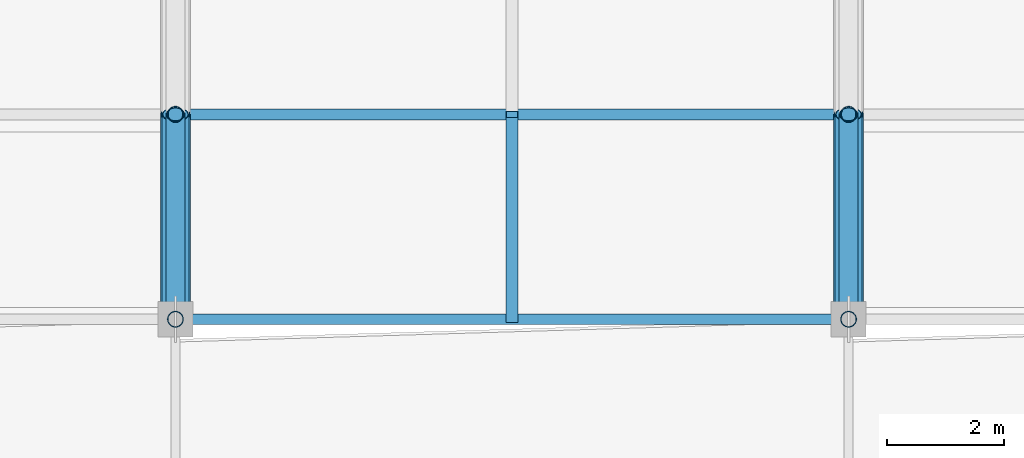
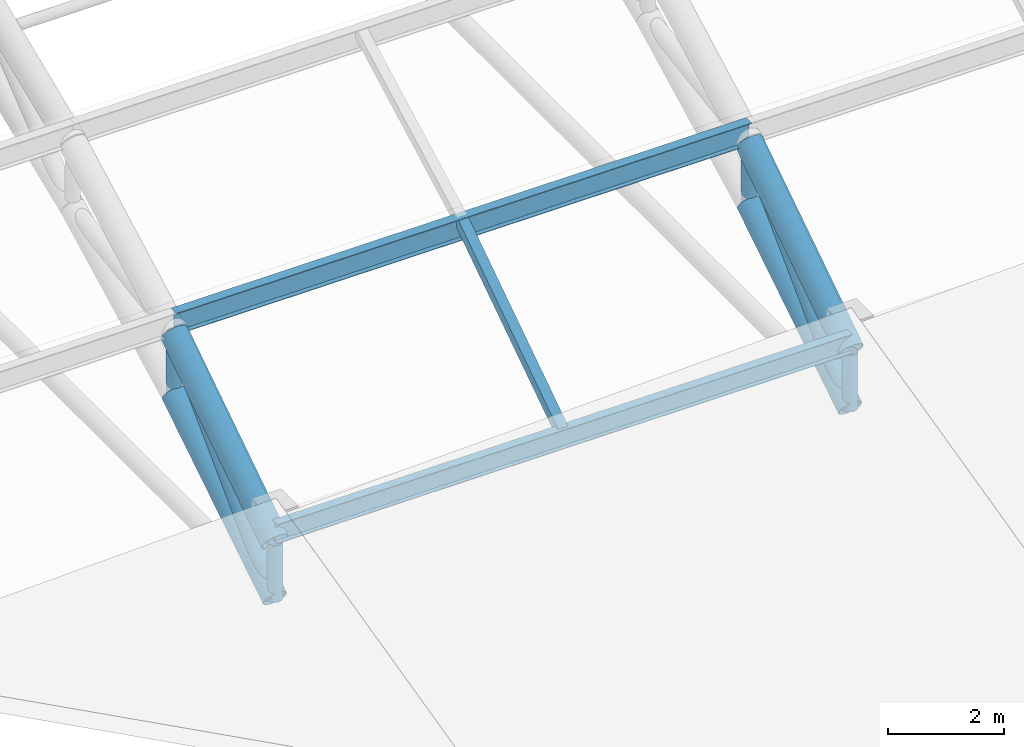
# One storey, part 8 of 154: 13 members.
"""IFC4 building model written with IfcOpenShell, lengths in metres."""

import ifcopenshell
import ifcopenshell.guid

model = None  # the IFC model being written
_history = None  # IfcOwnerHistory: only IFC2X3 demands one
_inside = {}  # id of a spatial element -> (the spatial element, [elements in it])
_under = {}  # id of a project, library or spatial element -> (it, [spatial elements below it])
_declared = {}  # id of a project -> (the project, [libraries it declares])
_typed = {}  # id of a type object -> (the type object, [elements of that type])
_made_of = {}  # id of a material, layer set ... -> (it, [elements and type objects made of it])


def new_model(schema):
    """Start an empty IFC model of exactly this schema.

    Asked for "IFC4X3", IfcOpenShell would pick the latest addendum, in which some entities
    have other attributes; the version numbers below select the first issue.
    IFC2X3 requires an IfcOwnerHistory on every rooted entity: one is made here for all.
    """
    global model, _history
    if schema == "IFC4X3":
        model = ifcopenshell.file(schema_version=(4, 3, 0, 0))
    else:
        model = ifcopenshell.file(schema=schema)
    _inside.clear()
    _under.clear()
    _declared.clear()
    _typed.clear()
    _made_of.clear()
    _history = None
    if model.schema == "IFC2X3":
        org = make("IfcOrganization", Name="unknown")
        user = make(
            "IfcPersonAndOrganization",
            ThePerson=make("IfcPerson", FamilyName="unknown"),
            TheOrganization=org,
        )
        app = make(
            "IfcApplication",
            ApplicationDeveloper=org,
            Version="unknown",
            ApplicationFullName="unknown",
            ApplicationIdentifier="unknown",
        )
        _history = make(
            "IfcOwnerHistory",
            OwningUser=user,
            OwningApplication=app,
            ChangeAction="ADDED",
            CreationDate=0,
        )
    return model


def make(cls, **values):
    """One entity of the class cls with the attributes given. An attribute that is None is left unset."""
    return model.create_entity(
        cls, **{name: value for name, value in values.items() if value is not None}
    )


def rooted(cls, **values):
    """An entity with a GlobalId (a new one), such as an element, a storey or a relation."""
    return make(cls, GlobalId=ifcopenshell.guid.new(), OwnerHistory=_history, **values)


def si_unit(unit_type, name, prefix=None):
    """IfcSIUnit, for example si_unit("LENGTHUNIT", "METRE", prefix="MILLI")."""
    return make("IfcSIUnit", UnitType=unit_type, Prefix=prefix, Name=name)


def assignment(units):
    """IfcUnitAssignment: the units of a project."""
    return None if units is None else make("IfcUnitAssignment", Units=units)


def point(xyz):
    """IfcCartesianPoint."""
    return None if xyz is None else make("IfcCartesianPoint", Coordinates=xyz)


def direction(xyz):
    """IfcDirection."""
    return None if xyz is None else make("IfcDirection", DirectionRatios=xyz)


def frame(location, z_axis=None, x_axis=None):
    """IfcAxis2Placement3D, a coordinate frame: its origin and axes. An axis left out is left unset."""
    return make(
        "IfcAxis2Placement3D",
        Location=point(location),
        Axis=direction(z_axis),
        RefDirection=direction(x_axis),
    )


def frame_2d(location, x_axis=None):
    """IfcAxis2Placement2D, a coordinate frame in the plane: its origin and x axis."""
    return make(
        "IfcAxis2Placement2D", Location=point(location), RefDirection=direction(x_axis)
    )


def origin():
    """The frame at (0, 0, 0) with its axes left unset."""
    return frame((0.0, 0.0, 0.0))


def origin_2d():
    """The frame at (0, 0) in the plane with its x axis left unset."""
    return frame_2d((0.0, 0.0))


def place(relative_to, where):
    """IfcLocalPlacement: puts the frame where relative to a parent placement (None: the world)."""
    return make(
        "IfcLocalPlacement", PlacementRelTo=relative_to, RelativePlacement=where
    )


def context(
    kind, dimensions, precision=None, world=None, true_north=None, identifier=None
):
    """IfcGeometricRepresentationContext, for example the 3D "Model" context."""
    return make(
        "IfcGeometricRepresentationContext",
        ContextIdentifier=identifier,
        ContextType=kind,
        CoordinateSpaceDimension=dimensions,
        Precision=precision,
        WorldCoordinateSystem=world,
        TrueNorth=true_north,
    )


def subcontext(parent, identifier, kind, view, scale=None):
    """IfcGeometricRepresentationSubContext, for example "Body" below "Model"."""
    return make(
        "IfcGeometricRepresentationSubContext",
        ContextIdentifier=identifier,
        ContextType=kind,
        ParentContext=parent,
        TargetScale=scale,
        TargetView=view,
    )


def project(units=None, contexts=None):
    """IfcProject with its units and contexts."""
    return rooted(
        "IfcProject",
        Name="project",
        RepresentationContexts=contexts,
        UnitsInContext=assignment(units),
    )


def spatial(cls, under=None, at=None, **own):
    """A site, building, storey or space (cls), placed at a placement, below another one or the project."""
    s = rooted(cls, ObjectPlacement=at, **own)
    if under is not None:
        _under.setdefault(under.id(), (under, []))[1].append(s)
    return s


def profile(cls, at=None, kind="AREA", **sizes):
    """A parametric profile (cls). Its sizes go by their IFC names, for example OverallWidth=200.0."""
    return make(cls, ProfileType=kind, Position=at, **sizes)


def hollow_rectangle(**sizes):
    """IfcRectangleHollowProfileDef."""
    return profile("IfcRectangleHollowProfileDef", **sizes)


def hollow_circle(**sizes):
    """IfcCircleHollowProfileDef."""
    return profile("IfcCircleHollowProfileDef", **sizes)


def i_section(**sizes):
    """IfcIShapeProfileDef."""
    return profile("IfcIShapeProfileDef", **sizes)


def extrude(swept, where, along, depth):
    """IfcExtrudedAreaSolid: the profile swept, set in the frame where, extruded along a direction by depth."""
    return make(
        "IfcExtrudedAreaSolid",
        SweptArea=swept,
        Position=where,
        ExtrudedDirection=direction(along),
        Depth=depth,
    )


def shape(context_of_items, identifier, shape_type, items):
    """IfcShapeRepresentation: the items that make up one representation, for example the "Body"."""
    return make(
        "IfcShapeRepresentation",
        ContextOfItems=context_of_items,
        RepresentationIdentifier=identifier,
        RepresentationType=shape_type,
        Items=items,
    )


def material(Name=None, Category=None):
    """IfcMaterial."""
    return make("IfcMaterial", Name=Name, Category=Category)


def material_profile(
    of_material, cross_section, Name=None, Category=None, Priority=None
):
    """IfcMaterialProfile: a cross section and its material."""
    return make(
        "IfcMaterialProfile",
        Name=Name,
        Material=of_material,
        Profile=cross_section,
        Priority=Priority,
        Category=Category,
    )


def profile_set(profiles, Name=None, composite=None):
    """IfcMaterialProfileSet."""
    return make(
        "IfcMaterialProfileSet",
        Name=Name,
        MaterialProfiles=profiles,
        CompositeProfile=composite,
    )


def made_of(thing, what):
    """Note that an element or type object is made of a material, layer set ...; save() writes the relation."""
    if what is not None:
        _made_of.setdefault(what.id(), (what, []))[1].append(thing)
    return thing


def type_object(cls, material=None, **own):
    """A type object (cls), such as IfcWallType, which elements share."""
    return made_of(rooted(cls, **own), material)


def element(
    cls,
    number,
    at=None,
    inside=None,
    cuts=None,
    type_object=None,
    material=None,
    context=None,
    identifier="Body",
    shape_type=None,
    held_by="IfcProductDefinitionShape",
    body=None,
    shapes=None,
    **own,
):
    """One element of the class cls, such as IfcWall. Its Tag is "e" and its number.

    at: its placement. inside: the storey or other place that contains it. cuts: it is an
    opening in that element (IfcRelVoidsElement). A single representation is given by context,
    identifier, shape_type and body (its items); several are given by shapes. held_by: the class
    of the entity that holds the representations. save() writes the other relations.
    """
    e = rooted(cls, Tag="e%d" % number, ObjectPlacement=at, **own)
    if body is not None:
        shapes = [shape(context, identifier, shape_type, body)]
    if shapes is not None:
        e.Representation = make(held_by, Representations=shapes)
    if inside is not None:
        _inside.setdefault(inside.id(), (inside, []))[1].append(e)
    if cuts is not None:
        rooted(
            "IfcRelVoidsElement", RelatingBuildingElement=cuts, RelatedOpeningElement=e
        )
    if type_object is not None:
        _typed.setdefault(type_object.id(), (type_object, []))[1].append(e)
    return made_of(e, material)


def aggregate(whole, parts):
    """IfcRelAggregates: a whole, such as a stair, and the parts it consists of."""
    return rooted("IfcRelAggregates", RelatingObject=whole, RelatedObjects=parts)


def save(model, path):
    """Write the relations noted so far, then the file.

    IfcRelAggregates (storeys below a building ...), IfcRelContainedInSpatialStructure (elements
    in a storey), IfcRelDefinesByType, IfcRelAssociatesMaterial and IfcRelDeclares: one each for
    every whole, place, type object, material and project.
    """
    for whole, parts in _under.values():
        aggregate(whole, parts)
    for where, things in _inside.values():
        rooted(
            "IfcRelContainedInSpatialStructure",
            RelatedElements=things,
            RelatingStructure=where,
        )
    for kind, things in _typed.values():
        rooted("IfcRelDefinesByType", RelatedObjects=things, RelatingType=kind)
    for what, things in _made_of.values():
        rooted("IfcRelAssociatesMaterial", RelatedObjects=things, RelatingMaterial=what)
    for by, libraries in _declared.values():
        rooted("IfcRelDeclares", RelatingContext=by, RelatedDefinitions=libraries)
    model.write(path)


model = new_model("IFC4")

# Units and contexts
model_context = context("Model", 3, precision=1e-05, world=origin(), true_north=direction((0.0, 1.0)))
body_context = subcontext(model_context, "Body", "Model", "MODEL_VIEW")
ifc_project = project(units=[si_unit("LENGTHUNIT", "METRE"), si_unit("AREAUNIT", "SQUARE_METRE"), si_unit("VOLUMEUNIT", "CUBIC_METRE"), si_unit("PLANEANGLEUNIT", "RADIAN"), si_unit("MASSUNIT", "GRAM", prefix="KILO")], contexts=[model_context])

# Site, building, storey
site_placement = place(None, origin())
site = spatial("IfcSite", under=ifc_project, at=site_placement, CompositionType="ELEMENT")
building_placement = place(site_placement, origin())
building = spatial("IfcBuilding", under=site, at=building_placement, Name="Ologun Quay Terminus", CompositionType="ELEMENT")
storey_placement = place(building_placement, frame((0.0, 0.0, 13.800048828125)))
storey = spatial("IfcBuildingStorey", under=building, at=storey_placement, Name="L03", CompositionType="ELEMENT", Elevation=13.800048828125)

# Members
ifc_material_1 = material(Name="Steel S355", Category="steel")
ifc_material_profile_1 = material_profile(ifc_material_1, hollow_circle(Radius=0.136474609375, WallThickness=0.010009765625, at=origin_2d()), Name="CHS 273x10")
ifc_profile_set_1 = profile_set([ifc_material_profile_1], Name="Steel S355")
member_type_1 = type_object("IfcMemberType", Name="Arch Truss Vertical Post CHS273", PredefinedType="STRUT", material=ifc_profile_set_1)
member_1_placement = place(storey_placement, frame((34.5, 36.0, 0.0), z_axis=(0.0, 0.0, 1.0), x_axis=(1.0, 0.0, 0.0)))
element("IfcMember", 1, at=member_1_placement, inside=storey, type_object=member_type_1, Name="AW2 Arch Web Post 4-N0", PredefinedType="STRUT", context=body_context, shape_type="SweptSolid", body=[
    extrude(hollow_circle(Radius=0.136474609375, WallThickness=0.010009765625, at=origin_2d()), origin(), (0.0, 0.0, 1.0), 1.199951171875),
])
member_2_placement = place(storey_placement, frame((34.5, 39.5, 2.212158203125), z_axis=(0.0, 0.0, 1.0), x_axis=(1.0, 0.0, 0.0)))
element("IfcMember", 2, at=member_2_placement, inside=storey, type_object=member_type_1, Name="AW2 Arch Web Post 4-N1", PredefinedType="STRUT", context=body_context, shape_type="SweptSolid", body=[
    extrude(hollow_circle(Radius=0.136474609375, WallThickness=0.010009765625, at=origin_2d()), origin(), (0.0, 0.0, 1.0), 1.28564453125),
])
member_3_placement = place(storey_placement, frame((46.0, 36.0, 0.0), z_axis=(0.0, 0.0, 1.0), x_axis=(1.0, 0.0, 0.0)))
element("IfcMember", 3, at=member_3_placement, inside=storey, type_object=member_type_1, Name="AW2 Arch Web Post 5-N0", PredefinedType="STRUT", context=body_context, shape_type="SweptSolid", body=[
    extrude(hollow_circle(Radius=0.136474609375, WallThickness=0.010009765625, at=origin_2d()), origin(), (0.0, 0.0, 1.0), 1.199951171875),
])
member_4_placement = place(storey_placement, frame((46.0, 39.5, 2.212158203125), z_axis=(0.0, 0.0, 1.0), x_axis=(1.0, 0.0, 0.0)))
element("IfcMember", 4, at=member_4_placement, inside=storey, type_object=member_type_1, Name="AW2 Arch Web Post 5-N1", PredefinedType="STRUT", context=body_context, shape_type="SweptSolid", body=[
    extrude(hollow_circle(Radius=0.136474609375, WallThickness=0.010009765625, at=origin_2d()), origin(), (0.0, 0.0, 1.0), 1.28564453125),
])
ifc_material_2 = material(Name="Steel S355", Category="steel")
ifc_material_profile_2 = material_profile(ifc_material_2, hollow_circle(Radius=0.161865234375, WallThickness=0.010009765625, at=origin_2d()), Name="CHS 323.9x10")
ifc_profile_set_2 = profile_set([ifc_material_profile_2], Name="Steel S355")
member_type_2 = type_object("IfcMemberType", Name="Arch Truss Web Diagonal CHS323", PredefinedType="BRACE", material=ifc_profile_set_2)
for number, where, z_axis, x_axis, name in (
    (5, (34.5, 36.0, 0.0), (0.0, 0.707328773357, 0.706884719301), (-1.0, 0.0, 0.0), "AW1 Arch Web Diagonal 4-P1"),
    (6, (46.0, 36.0, 0.0), (0.0, 0.707328773357, 0.706884719301), (-1.0, 0.0, 0.0), "AW1 Arch Web Diagonal 5-P1"),
):
    element("IfcMember", number, at=place(storey_placement, frame(where, z_axis=z_axis, x_axis=x_axis)), inside=storey, type_object=member_type_2, Name=name, PredefinedType="BRACE", context=body_context, shape_type="SweptSolid", body=[
        extrude(hollow_circle(Radius=0.161865234375, WallThickness=0.010009765625, at=origin_2d()), origin(), (0.0, 0.0, 1.0), 4.9482421875),
    ])
ifc_material_3 = material(Name="Steel S355", Category="steel")
ifc_material_profile_3 = material_profile(ifc_material_3, hollow_circle(Radius=0.228515625, WallThickness=0.01611328125, at=origin_2d()), Name="CHS 457x16")
ifc_profile_set_3 = profile_set([ifc_material_profile_3], Name="Steel S355")
member_type_3 = type_object("IfcMemberType", Name="Parabolic Arch Bottom Chord CHS457", PredefinedType="CHORD", material=ifc_profile_set_3)
for number, where, z_axis, x_axis, name in (
    (7, (34.5, 36.0, 0.0), (0.0, 0.845310912611, 0.534274705578), (-1.0, 0.0, 0.0), "AC2 Arch Bottom Chord 4-P1"),
    (8, (46.0, 36.0, 0.0), (0.0, 0.845310912611, 0.534274705578), (-1.0, 0.0, 0.0), "AC2 Arch Bottom Chord 5-P1"),
):
    element("IfcMember", number, at=place(storey_placement, frame(where, z_axis=z_axis, x_axis=x_axis)), inside=storey, type_object=member_type_3, Name=name, PredefinedType="CHORD", context=body_context, shape_type="SweptSolid", body=[
        extrude(hollow_circle(Radius=0.228515625, WallThickness=0.01611328125, at=origin_2d()), origin(), (0.0, 0.0, 1.0), 4.140380859375),
    ])
ifc_material_4 = material(Name="Steel S355", Category="steel")
ifc_material_profile_4 = material_profile(ifc_material_4, hollow_circle(Radius=0.25390625, WallThickness=0.01611328125, at=origin_2d()), Name="CHS 508x16")
ifc_profile_set_4 = profile_set([ifc_material_profile_4], Name="Steel S355")
member_type_4 = type_object("IfcMemberType", Name="Parabolic Arch Top Chord CHS508", PredefinedType="CHORD", material=ifc_profile_set_4)
for number, where, z_axis, x_axis, name in (
    (9, (34.5, 36.0, 1.199951171875), (0.0, 0.835940905918, 0.548819461949), (-1.0, 0.0, 0.0), "Arch Top Chord 4-P1"),
    (10, (46.0, 36.0, 1.199951171875), (0.0, 0.835940905918, 0.548819461949), (-1.0, 0.0, 0.0), "Arch Top Chord 5-P1"),
):
    element("IfcMember", number, at=place(storey_placement, frame(where, z_axis=z_axis, x_axis=x_axis)), inside=storey, type_object=member_type_4, Name=name, PredefinedType="CHORD", context=body_context, shape_type="SweptSolid", body=[
        extrude(hollow_circle(Radius=0.25390625, WallThickness=0.01611328125, at=origin_2d()), origin(), (0.0, 0.0, 1.0), 4.18701171875),
    ])
ifc_material_5 = material(Name="Steel S355", Category="steel")
ifc_material_profile_5 = material_profile(ifc_material_5, hollow_rectangle(XDim=0.199951171875, YDim=0.199951171875, WallThickness=0.008056640625, at=origin_2d()), Name="SHS 200x200x8")
ifc_profile_set_5 = profile_set([ifc_material_profile_5], Name="Steel S355")
member_type_5 = type_object("IfcMemberType", Name="Skylight Cross Transom Bar RHS150", PredefinedType="STRUT", material=ifc_profile_set_5)
member_5_placement = place(storey_placement, frame((40.25, 36.0, 1.50341796875), z_axis=(0.0, 0.830398014247, 0.55717065423), x_axis=(-1.0, 0.0, 0.0)))
element("IfcMember", 11, at=member_5_placement, inside=storey, type_object=member_type_5, Name="SK2 Eave Secondary Rafter B4-P1", PredefinedType="STRUT", context=body_context, shape_type="SweptSolid", body=[
    extrude(hollow_rectangle(XDim=0.199951171875, YDim=0.199951171875, WallThickness=0.008056640625, at=origin_2d()), origin(), (0.0, 0.0, 1.0), 4.21484375),
])
ifc_material_6 = material(Name="Steel S355", Category="steel")
ifc_material_profile_6 = material_profile(ifc_material_6, i_section(OverallWidth=0.177978515625, OverallDepth=0.406494140625, WebThickness=0.0078125, FlangeThickness=0.0126953125, at=origin_2d()), Name="UKB 406x178x60")
ifc_profile_set_6 = profile_set([ifc_material_profile_6], Name="Steel S355")
member_type_6 = type_object("IfcMemberType", Name="Train Shed Eave & Ridge Purlin UKB406", PredefinedType="PURLIN", material=ifc_profile_set_6)
member_6_placement = place(storey_placement, frame((34.5, 36.0, 1.403076171875), z_axis=(1.0, 0.0, 0.0), x_axis=(0.0, 1.0, 0.0)))
element("IfcMember", 12, at=member_6_placement, inside=storey, type_object=member_type_6, Name="PR2 Roof Purlin B4-N0", PredefinedType="PURLIN", context=body_context, shape_type="SweptSolid", body=[
    extrude(i_section(OverallWidth=0.177978515625, OverallDepth=0.406494140625, WebThickness=0.0078125, FlangeThickness=0.0126953125, at=origin_2d()), origin(), (0.0, 0.0, 1.0), 11.5),
])
ifc_material_7 = material(Name="Steel S355", Category="steel")
ifc_material_profile_7 = material_profile(ifc_material_7, i_section(OverallWidth=0.1904296875, OverallDepth=0.45703125, WebThickness=0.009033203125, FlangeThickness=0.014404296875, at=origin_2d()), Name="UKB 457x191x74")
ifc_profile_set_7 = profile_set([ifc_material_profile_7], Name="Steel S355")
member_type_7 = type_object("IfcMemberType", Name="Train Shed Primary Roof Purlin UKB457", PredefinedType="PURLIN", material=ifc_profile_set_7)
member_7_placement = place(storey_placement, frame((34.5, 39.5, 3.726318359375), z_axis=(1.0, 0.0, 0.0), x_axis=(0.0, 1.0, 0.0)))
element("IfcMember", 13, at=member_7_placement, inside=storey, type_object=member_type_7, Name="PR1 Roof Purlin B4-N1", PredefinedType="PURLIN", context=body_context, shape_type="SweptSolid", body=[
    extrude(i_section(OverallWidth=0.1904296875, OverallDepth=0.45703125, WebThickness=0.009033203125, FlangeThickness=0.014404296875, at=origin_2d()), origin(), (0.0, 0.0, 1.0), 11.5),
])

save(model, "model.ifc")
